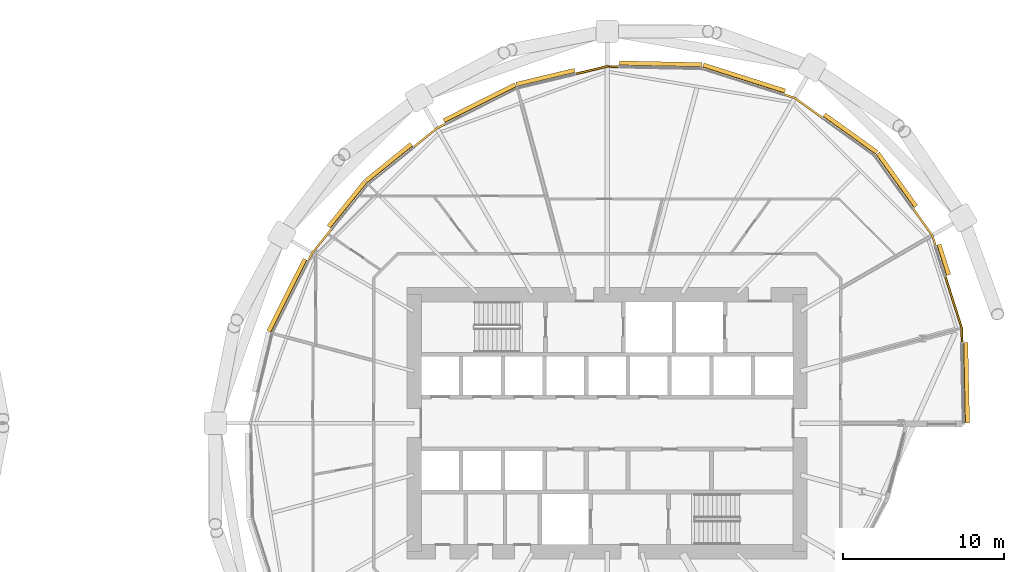
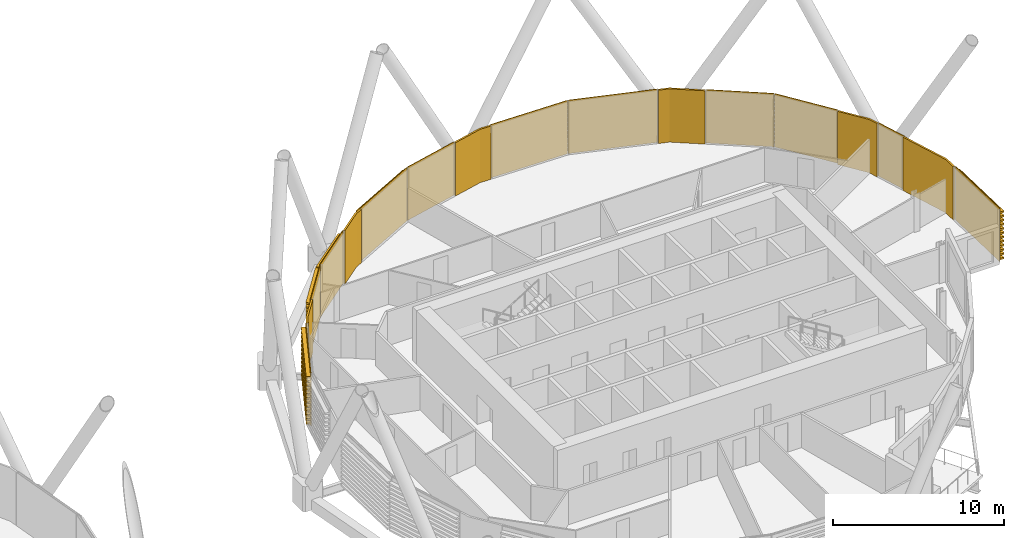
# One storey, part 35 of 36: 17 coverings.
"""IFC4 building model written with IfcOpenShell, lengths in metres."""

from ifc_helpers import new_model, si_unit, direction, frame, origin, place, context, subcontext, project, spatial, polyline, outline, extrude, material, layer, layer_set, material_profile, profile_set, type_object, element, save


model = new_model("IFC4")

# Units and contexts
model_context = context("Model", 3, precision=1e-05, world=origin(), true_north=direction((0.0, 1.0)))
body_context = subcontext(model_context, "Body", "Model", "MODEL_VIEW")
ifc_project = project(units=[si_unit("LENGTHUNIT", "METRE"), si_unit("AREAUNIT", "SQUARE_METRE"), si_unit("VOLUMEUNIT", "CUBIC_METRE"), si_unit("PLANEANGLEUNIT", "RADIAN"), si_unit("MASSUNIT", "GRAM", prefix="KILO")], contexts=[model_context])

# Site, building, storey
site_placement = place(None, origin())
site = spatial("IfcSite", under=ifc_project, at=site_placement, CompositionType="ELEMENT")
building_placement = place(site_placement, origin())
building = spatial("IfcBuilding", under=site, at=building_placement, Name="Rimbun Link Towers", CompositionType="ELEMENT")
storey_placement = place(building_placement, frame((0.0, 0.0, 64.199951171875)))
storey = spatial("IfcBuildingStorey", under=building, at=storey_placement, Name="L15", CompositionType="ELEMENT", Elevation=64.199951171875)

# Coverings
ifc_material_1 = material(Name="Terracotta", Category="masonry")
ifc_layer = layer(ifc_material_1, 0.1201171875)
ifc_layer_set = layer_set([ifc_layer], Name="LINK PIER terracotta cladding 120")
covering_type_1 = type_object("IfcCoveringType", Name="LINK PIER terracotta cladding 120", PredefinedType="CLADDING", material=ifc_layer_set)
covering_1_placement = place(storey_placement, origin())
element("IfcCovering", 1, at=covering_1_placement, inside=storey, type_object=covering_type_1, Name="LINK PIER cladding", PredefinedType="CLADDING", context=body_context, shape_type="SweptSolid", body=[
    extrude(outline(polyline([(42.759765625, 20.378662109375), (43.398193359375, 20.175537109375), (45.080078125, 18.96875), (45.150146484375, 19.066162109375), (43.452880859375, 20.2841796875), (42.796142578125, 20.492919921875), (42.759765625, 20.378662109375)])), origin(), (0.0, 0.0, 1.0), 3.800048828125),
])
covering_2_placement = place(storey_placement, origin())
element("IfcCovering", 2, at=covering_2_placement, inside=storey, type_object=covering_type_1, Name="LINK PIER cladding", PredefinedType="CLADDING", context=body_context, shape_type="SweptSolid", body=[
    extrude(outline(polyline([(29.833984375, 21.670654296875), (31.75, 22.12890625), (32.4697265625, 22.11376953125), (32.472412109375, 22.23388671875), (31.737060546875, 22.249267578125), (29.80615234375, 21.78759765625), (29.833984375, 21.670654296875)])), origin(), (0.0, 0.0, 1.0), 3.800048828125),
])
covering_3_placement = place(storey_placement, origin())
element("IfcCovering", 3, at=covering_3_placement, inside=storey, type_object=covering_type_1, Name="LINK PIER cladding", PredefinedType="CLADDING", context=body_context, shape_type="SweptSolid", body=[
    extrude(outline(polyline([(19.77490234375, 17.146240234375), (21.189453125, 18.291259765625), (21.698974609375, 18.547119140625), (21.64501953125, 18.654296875), (21.1240234375, 18.392822265625), (19.699462890625, 17.239501953125), (19.77490234375, 17.146240234375)])), origin(), (0.0, 0.0, 1.0), 3.800048828125),
])
covering_4_placement = place(storey_placement, origin())
element("IfcCovering", 4, at=covering_4_placement, inside=storey, type_object=covering_type_1, Name="LINK PIER cladding", PredefinedType="CLADDING", context=body_context, shape_type="SweptSolid", body=[
    extrude(outline(polyline([(13.225341796875, 10.095703125), (13.458740234375, 10.560546875), (14.63525390625, 12.013916015625), (14.5419921875, 12.089599609375), (13.357177734375, 10.6259765625), (13.1181640625, 10.149658203125), (13.225341796875, 10.095703125)])), origin(), (0.0, 0.0, 1.0), 3.800048828125),
])
covering_5_placement = place(storey_placement, origin())
element("IfcCovering", 5, at=covering_5_placement, inside=storey, type_object=covering_type_1, Name="LINK PIER cladding", PredefinedType="CLADDING", context=body_context, shape_type="SweptSolid", body=[
    extrude(outline(polyline([(52.7333984375, 9.107666015625), (53.7548828125, 5.896240234375), (53.773193359375, 5.0263671875), (53.89306640625, 5.02880859375), (53.87451171875, 5.916015625), (52.847900390625, 9.14404296875), (52.7333984375, 9.107666015625)])), origin(), (0.0, 0.0, 1.0), 3.800048828125),
])
covering_6_placement = place(storey_placement, origin())
element("IfcCovering", 6, at=covering_6_placement, inside=storey, type_object=covering_type_1, Name="LINK PIER cladding", PredefinedType="CLADDING", context=body_context, shape_type="SweptSolid", body=[
    extrude(outline(polyline([(50.747802734375, 13.28955078125), (51.925537109375, 11.648193359375), (52.11328125, 11.057373046875), (52.227783203125, 11.09375), (52.0341796875, 11.702880859375), (50.84521484375, 13.359375), (50.747802734375, 13.28955078125)])), origin(), (0.0, 0.0, 1.0), 3.800048828125),
])
ifc_material_2 = material(Name="Terracotta", Category="masonry")
ifc_material_profile = material_profile(ifc_material_2, outline(polyline([(0.123046875, 0.0), (0.1630859375, 0.0), (0.1630859375, 0.10009765625), (0.423095703125, 0.10009765625), (0.423095703125, 0.219970703125), (0.1630859375, 0.219970703125), (0.1630859375, 0.39990234375), (0.423095703125, 0.39990234375), (0.423095703125, 0.52001953125), (0.1630859375, 0.52001953125), (0.1630859375, 0.699951171875), (0.423095703125, 0.699951171875), (0.423095703125, 0.820068359375), (0.1630859375, 0.820068359375), (0.1630859375, 1.0), (0.423095703125, 1.0), (0.423095703125, 1.1201171875), (0.1630859375, 1.1201171875), (0.1630859375, 1.300048828125), (0.423095703125, 1.300048828125), (0.423095703125, 1.419921875), (0.1630859375, 1.419921875), (0.1630859375, 1.60009765625), (0.423095703125, 1.60009765625), (0.423095703125, 1.719970703125), (0.1630859375, 1.719970703125), (0.1630859375, 1.89990234375), (0.423095703125, 1.89990234375), (0.423095703125, 2.02001953125), (0.1630859375, 2.02001953125), (0.1630859375, 2.199951171875), (0.423095703125, 2.199951171875), (0.423095703125, 2.320068359375), (0.1630859375, 2.320068359375), (0.1630859375, 2.5), (0.423095703125, 2.5), (0.423095703125, 2.6201171875), (0.1630859375, 2.6201171875), (0.1630859375, 2.800048828125), (0.423095703125, 2.800048828125), (0.423095703125, 2.919921875), (0.1630859375, 2.919921875), (0.1630859375, 3.10009765625), (0.423095703125, 3.10009765625), (0.423095703125, 3.219970703125), (0.1630859375, 3.219970703125), (0.1630859375, 3.39990234375), (0.423095703125, 3.39990234375), (0.423095703125, 3.52001953125), (0.1630859375, 3.52001953125), (0.1630859375, 3.800048828125), (0.123046875, 3.800048828125), (0.123046875, 0.0)])), Name="BAGUETTE 120X300")
ifc_profile_set = profile_set([ifc_material_profile], Name="Terracotta")
covering_type_2 = type_object("IfcCoveringType", Name="TERRACOTTA BAGUETTE 120X300 H3800", PredefinedType="CLADDING", material=ifc_profile_set)
covering_7_placement = place(storey_placement, frame((45.1044921875, 18.951171875, 0.0), z_axis=(0.812481209702, -0.582987378835, 0.0), x_axis=(0.582987378835, 0.812481209702, 0.0)))
element("IfcCovering", 7, at=covering_7_placement, inside=storey, type_object=covering_type_2, Name="TERRACOTTA BAGUETTE", PredefinedType="CLADDING", context=body_context, shape_type="SweptSolid", body=[
    extrude(outline(polyline([(0.123046875, 0.0), (0.1630859375, 0.0), (0.1630859375, 0.10009765625), (0.423095703125, 0.10009765625), (0.423095703125, 0.219970703125), (0.1630859375, 0.219970703125), (0.1630859375, 0.39990234375), (0.423095703125, 0.39990234375), (0.423095703125, 0.52001953125), (0.1630859375, 0.52001953125), (0.1630859375, 0.699951171875), (0.423095703125, 0.699951171875), (0.423095703125, 0.820068359375), (0.1630859375, 0.820068359375), (0.1630859375, 1.0), (0.423095703125, 1.0), (0.423095703125, 1.1201171875), (0.1630859375, 1.1201171875), (0.1630859375, 1.300048828125), (0.423095703125, 1.300048828125), (0.423095703125, 1.419921875), (0.1630859375, 1.419921875), (0.1630859375, 1.60009765625), (0.423095703125, 1.60009765625), (0.423095703125, 1.719970703125), (0.1630859375, 1.719970703125), (0.1630859375, 1.89990234375), (0.423095703125, 1.89990234375), (0.423095703125, 2.02001953125), (0.1630859375, 2.02001953125), (0.1630859375, 2.199951171875), (0.423095703125, 2.199951171875), (0.423095703125, 2.320068359375), (0.1630859375, 2.320068359375), (0.1630859375, 2.5), (0.423095703125, 2.5), (0.423095703125, 2.6201171875), (0.1630859375, 2.6201171875), (0.1630859375, 2.800048828125), (0.423095703125, 2.800048828125), (0.423095703125, 2.919921875), (0.1630859375, 2.919921875), (0.1630859375, 3.10009765625), (0.423095703125, 3.10009765625), (0.423095703125, 3.219970703125), (0.1630859375, 3.219970703125), (0.1630859375, 3.39990234375), (0.423095703125, 3.39990234375), (0.423095703125, 3.52001953125), (0.1630859375, 3.52001953125), (0.1630859375, 3.800048828125), (0.123046875, 3.800048828125), (0.123046875, 0.0)])), origin(), (0.0, 0.0, 1.0), 4.010498046875),
])
covering_8_placement = place(storey_placement, frame((37.646240234375, 22.0048828125, 0.0), z_axis=(0.952966632443, -0.303075233978, 0.0), x_axis=(0.303075233978, 0.952966632443, 0.0)))
element("IfcCovering", 8, at=covering_8_placement, inside=storey, type_object=covering_type_2, Name="TERRACOTTA BAGUETTE", PredefinedType="CLADDING", context=body_context, shape_type="SweptSolid", body=[
    extrude(outline(polyline([(0.123046875, 0.0), (0.1630859375, 0.0), (0.1630859375, 0.10009765625), (0.423095703125, 0.10009765625), (0.423095703125, 0.219970703125), (0.1630859375, 0.219970703125), (0.1630859375, 0.39990234375), (0.423095703125, 0.39990234375), (0.423095703125, 0.52001953125), (0.1630859375, 0.52001953125), (0.1630859375, 0.699951171875), (0.423095703125, 0.699951171875), (0.423095703125, 0.820068359375), (0.1630859375, 0.820068359375), (0.1630859375, 1.0), (0.423095703125, 1.0), (0.423095703125, 1.1201171875), (0.1630859375, 1.1201171875), (0.1630859375, 1.300048828125), (0.423095703125, 1.300048828125), (0.423095703125, 1.419921875), (0.1630859375, 1.419921875), (0.1630859375, 1.60009765625), (0.423095703125, 1.60009765625), (0.423095703125, 1.719970703125), (0.1630859375, 1.719970703125), (0.1630859375, 1.89990234375), (0.423095703125, 1.89990234375), (0.423095703125, 2.02001953125), (0.1630859375, 2.02001953125), (0.1630859375, 2.199951171875), (0.423095703125, 2.199951171875), (0.423095703125, 2.320068359375), (0.1630859375, 2.320068359375), (0.1630859375, 2.5), (0.423095703125, 2.5), (0.423095703125, 2.6201171875), (0.1630859375, 2.6201171875), (0.1630859375, 2.800048828125), (0.423095703125, 2.800048828125), (0.423095703125, 2.919921875), (0.1630859375, 2.919921875), (0.1630859375, 3.10009765625), (0.423095703125, 3.10009765625), (0.423095703125, 3.219970703125), (0.1630859375, 3.219970703125), (0.1630859375, 3.39990234375), (0.423095703125, 3.39990234375), (0.423095703125, 3.52001953125), (0.1630859375, 3.52001953125), (0.1630859375, 3.800048828125), (0.123046875, 3.800048828125), (0.123046875, 0.0)])), origin(), (0.0, 0.0, 1.0), 5.3359375),
])
covering_9_placement = place(storey_placement, frame((32.499755859375, 22.11328125, 0.0), z_axis=(0.999778256826, -0.021057948104, 0.0), x_axis=(0.021057948104, 0.999778256826, 0.0)))
element("IfcCovering", 9, at=covering_9_placement, inside=storey, type_object=covering_type_2, Name="TERRACOTTA BAGUETTE", PredefinedType="CLADDING", context=body_context, shape_type="SweptSolid", body=[
    extrude(outline(polyline([(0.123046875, 0.0), (0.1630859375, 0.0), (0.1630859375, 0.10009765625), (0.423095703125, 0.10009765625), (0.423095703125, 0.219970703125), (0.1630859375, 0.219970703125), (0.1630859375, 0.39990234375), (0.423095703125, 0.39990234375), (0.423095703125, 0.52001953125), (0.1630859375, 0.52001953125), (0.1630859375, 0.699951171875), (0.423095703125, 0.699951171875), (0.423095703125, 0.820068359375), (0.1630859375, 0.820068359375), (0.1630859375, 1.0), (0.423095703125, 1.0), (0.423095703125, 1.1201171875), (0.1630859375, 1.1201171875), (0.1630859375, 1.300048828125), (0.423095703125, 1.300048828125), (0.423095703125, 1.419921875), (0.1630859375, 1.419921875), (0.1630859375, 1.60009765625), (0.423095703125, 1.60009765625), (0.423095703125, 1.719970703125), (0.1630859375, 1.719970703125), (0.1630859375, 1.89990234375), (0.423095703125, 1.89990234375), (0.423095703125, 2.02001953125), (0.1630859375, 2.02001953125), (0.1630859375, 2.199951171875), (0.423095703125, 2.199951171875), (0.423095703125, 2.320068359375), (0.1630859375, 2.320068359375), (0.1630859375, 2.5), (0.423095703125, 2.5), (0.423095703125, 2.6201171875), (0.1630859375, 2.6201171875), (0.1630859375, 2.800048828125), (0.423095703125, 2.800048828125), (0.423095703125, 2.919921875), (0.1630859375, 2.919921875), (0.1630859375, 3.10009765625), (0.423095703125, 3.10009765625), (0.423095703125, 3.219970703125), (0.1630859375, 3.219970703125), (0.1630859375, 3.39990234375), (0.423095703125, 3.39990234375), (0.423095703125, 3.52001953125), (0.1630859375, 3.52001953125), (0.1630859375, 3.800048828125), (0.123046875, 3.800048828125), (0.123046875, 0.0)])), origin(), (0.0, 0.0, 1.0), 5.147705078125),
])
covering_10_placement = place(storey_placement, frame((26.177490234375, 20.79638671875, 0.0), z_axis=(0.972578891654, 0.232573213222, 0.0), x_axis=(-0.232573213222, 0.972578891654, 0.0)))
element("IfcCovering", 10, at=covering_10_placement, inside=storey, type_object=covering_type_2, Name="TERRACOTTA BAGUETTE", PredefinedType="CLADDING", context=body_context, shape_type="SweptSolid", body=[
    extrude(outline(polyline([(0.123046875, 0.0), (0.1630859375, 0.0), (0.1630859375, 0.10009765625), (0.423095703125, 0.10009765625), (0.423095703125, 0.219970703125), (0.1630859375, 0.219970703125), (0.1630859375, 0.39990234375), (0.423095703125, 0.39990234375), (0.423095703125, 0.52001953125), (0.1630859375, 0.52001953125), (0.1630859375, 0.699951171875), (0.423095703125, 0.699951171875), (0.423095703125, 0.820068359375), (0.1630859375, 0.820068359375), (0.1630859375, 1.0), (0.423095703125, 1.0), (0.423095703125, 1.1201171875), (0.1630859375, 1.1201171875), (0.1630859375, 1.300048828125), (0.423095703125, 1.300048828125), (0.423095703125, 1.419921875), (0.1630859375, 1.419921875), (0.1630859375, 1.60009765625), (0.423095703125, 1.60009765625), (0.423095703125, 1.719970703125), (0.1630859375, 1.719970703125), (0.1630859375, 1.89990234375), (0.423095703125, 1.89990234375), (0.423095703125, 2.02001953125), (0.1630859375, 2.02001953125), (0.1630859375, 2.199951171875), (0.423095703125, 2.199951171875), (0.423095703125, 2.320068359375), (0.1630859375, 2.320068359375), (0.1630859375, 2.5), (0.423095703125, 2.5), (0.423095703125, 2.6201171875), (0.1630859375, 2.6201171875), (0.1630859375, 2.800048828125), (0.423095703125, 2.800048828125), (0.423095703125, 2.919921875), (0.1630859375, 2.919921875), (0.1630859375, 3.10009765625), (0.423095703125, 3.10009765625), (0.423095703125, 3.219970703125), (0.1630859375, 3.219970703125), (0.1630859375, 3.39990234375), (0.423095703125, 3.39990234375), (0.423095703125, 3.52001953125), (0.1630859375, 3.52001953125), (0.1630859375, 3.800048828125), (0.123046875, 3.800048828125), (0.123046875, 0.0)])), origin(), (0.0, 0.0, 1.0), 3.729736328125),
])
covering_11_placement = place(storey_placement, frame((21.7255859375, 18.560546875, 0.0), z_axis=(0.893631877808, 0.44880069849, 0.0), x_axis=(-0.44880069849, 0.893631877808, 0.0)))
element("IfcCovering", 11, at=covering_11_placement, inside=storey, type_object=covering_type_2, Name="TERRACOTTA BAGUETTE", PredefinedType="CLADDING", context=body_context, shape_type="SweptSolid", body=[
    extrude(outline(polyline([(0.123046875, 0.0), (0.1630859375, 0.0), (0.1630859375, 0.10009765625), (0.423095703125, 0.10009765625), (0.423095703125, 0.219970703125), (0.1630859375, 0.219970703125), (0.1630859375, 0.39990234375), (0.423095703125, 0.39990234375), (0.423095703125, 0.52001953125), (0.1630859375, 0.52001953125), (0.1630859375, 0.699951171875), (0.423095703125, 0.699951171875), (0.423095703125, 0.820068359375), (0.1630859375, 0.820068359375), (0.1630859375, 1.0), (0.423095703125, 1.0), (0.423095703125, 1.1201171875), (0.1630859375, 1.1201171875), (0.1630859375, 1.300048828125), (0.423095703125, 1.300048828125), (0.423095703125, 1.419921875), (0.1630859375, 1.419921875), (0.1630859375, 1.60009765625), (0.423095703125, 1.60009765625), (0.423095703125, 1.719970703125), (0.1630859375, 1.719970703125), (0.1630859375, 1.89990234375), (0.423095703125, 1.89990234375), (0.423095703125, 2.02001953125), (0.1630859375, 2.02001953125), (0.1630859375, 2.199951171875), (0.423095703125, 2.199951171875), (0.423095703125, 2.320068359375), (0.1630859375, 2.320068359375), (0.1630859375, 2.5), (0.423095703125, 2.5), (0.423095703125, 2.6201171875), (0.1630859375, 2.6201171875), (0.1630859375, 2.800048828125), (0.423095703125, 2.800048828125), (0.423095703125, 2.919921875), (0.1630859375, 2.919921875), (0.1630859375, 3.10009765625), (0.423095703125, 3.10009765625), (0.423095703125, 3.219970703125), (0.1630859375, 3.219970703125), (0.1630859375, 3.39990234375), (0.423095703125, 3.39990234375), (0.423095703125, 3.52001953125), (0.1630859375, 3.52001953125), (0.1630859375, 3.800048828125), (0.123046875, 3.800048828125), (0.123046875, 0.0)])), origin(), (0.0, 0.0, 1.0), 4.981689453125),
])
covering_12_placement = place(storey_placement, frame((16.9169921875, 14.8330078125, 0.0), z_axis=(0.777263579055, 0.629175117654, 0.0), x_axis=(-0.629175117654, 0.777263579055, 0.0)))
element("IfcCovering", 12, at=covering_12_placement, inside=storey, type_object=covering_type_2, Name="TERRACOTTA BAGUETTE", PredefinedType="CLADDING", context=body_context, shape_type="SweptSolid", body=[
    extrude(outline(polyline([(0.123046875, 0.0), (0.1630859375, 0.0), (0.1630859375, 0.10009765625), (0.423095703125, 0.10009765625), (0.423095703125, 0.219970703125), (0.1630859375, 0.219970703125), (0.1630859375, 0.39990234375), (0.423095703125, 0.39990234375), (0.423095703125, 0.52001953125), (0.1630859375, 0.52001953125), (0.1630859375, 0.699951171875), (0.423095703125, 0.699951171875), (0.423095703125, 0.820068359375), (0.1630859375, 0.820068359375), (0.1630859375, 1.0), (0.423095703125, 1.0), (0.423095703125, 1.1201171875), (0.1630859375, 1.1201171875), (0.1630859375, 1.300048828125), (0.423095703125, 1.300048828125), (0.423095703125, 1.419921875), (0.1630859375, 1.419921875), (0.1630859375, 1.60009765625), (0.423095703125, 1.60009765625), (0.423095703125, 1.719970703125), (0.1630859375, 1.719970703125), (0.1630859375, 1.89990234375), (0.423095703125, 1.89990234375), (0.423095703125, 2.02001953125), (0.1630859375, 2.02001953125), (0.1630859375, 2.199951171875), (0.423095703125, 2.199951171875), (0.423095703125, 2.320068359375), (0.1630859375, 2.320068359375), (0.1630859375, 2.5), (0.423095703125, 2.5), (0.423095703125, 2.6201171875), (0.1630859375, 2.6201171875), (0.1630859375, 2.800048828125), (0.423095703125, 2.800048828125), (0.423095703125, 2.919921875), (0.1630859375, 2.919921875), (0.1630859375, 3.10009765625), (0.423095703125, 3.10009765625), (0.423095703125, 3.219970703125), (0.1630859375, 3.219970703125), (0.1630859375, 3.39990234375), (0.423095703125, 3.39990234375), (0.423095703125, 3.52001953125), (0.1630859375, 3.52001953125), (0.1630859375, 3.800048828125), (0.123046875, 3.800048828125), (0.123046875, 0.0)])), origin(), (0.0, 0.0, 1.0), 3.646728515625),
])
covering_13_placement = place(storey_placement, frame((14.654052734375, 12.037353515625, 0.0), z_axis=(0.629163080132, 0.777273322968, 0.0), x_axis=(-0.777273322968, 0.629163080132, 0.0)))
element("IfcCovering", 13, at=covering_13_placement, inside=storey, type_object=covering_type_2, Name="TERRACOTTA BAGUETTE", PredefinedType="CLADDING", context=body_context, shape_type="SweptSolid", body=[
    extrude(outline(polyline([(0.123046875, 0.0), (0.1630859375, 0.0), (0.1630859375, 0.10009765625), (0.423095703125, 0.10009765625), (0.423095703125, 0.219970703125), (0.1630859375, 0.219970703125), (0.1630859375, 0.39990234375), (0.423095703125, 0.39990234375), (0.423095703125, 0.52001953125), (0.1630859375, 0.52001953125), (0.1630859375, 0.699951171875), (0.423095703125, 0.699951171875), (0.423095703125, 0.820068359375), (0.1630859375, 0.820068359375), (0.1630859375, 1.0), (0.423095703125, 1.0), (0.423095703125, 1.1201171875), (0.1630859375, 1.1201171875), (0.1630859375, 1.300048828125), (0.423095703125, 1.300048828125), (0.423095703125, 1.419921875), (0.1630859375, 1.419921875), (0.1630859375, 1.60009765625), (0.423095703125, 1.60009765625), (0.423095703125, 1.719970703125), (0.1630859375, 1.719970703125), (0.1630859375, 1.89990234375), (0.423095703125, 1.89990234375), (0.423095703125, 2.02001953125), (0.1630859375, 2.02001953125), (0.1630859375, 2.199951171875), (0.423095703125, 2.199951171875), (0.423095703125, 2.320068359375), (0.1630859375, 2.320068359375), (0.1630859375, 2.5), (0.423095703125, 2.5), (0.423095703125, 2.6201171875), (0.1630859375, 2.6201171875), (0.1630859375, 2.800048828125), (0.423095703125, 2.800048828125), (0.423095703125, 2.919921875), (0.1630859375, 2.919921875), (0.1630859375, 3.10009765625), (0.423095703125, 3.10009765625), (0.423095703125, 3.219970703125), (0.1630859375, 3.219970703125), (0.1630859375, 3.39990234375), (0.423095703125, 3.39990234375), (0.423095703125, 3.52001953125), (0.1630859375, 3.52001953125), (0.1630859375, 3.800048828125), (0.123046875, 3.800048828125), (0.123046875, 0.0)])), origin(), (0.0, 0.0, 1.0), 3.5966796875),
])
covering_14_placement = place(storey_placement, frame((10.95361328125, 5.572509765625, 0.0), z_axis=(0.448804323468, 0.893630057259, 0.0), x_axis=(-0.893630057259, 0.448804323468, 0.0)))
element("IfcCovering", 14, at=covering_14_placement, inside=storey, type_object=covering_type_2, Name="TERRACOTTA BAGUETTE", PredefinedType="CLADDING", context=body_context, shape_type="SweptSolid", body=[
    extrude(outline(polyline([(0.123046875, 0.0), (0.1630859375, 0.0), (0.1630859375, 0.10009765625), (0.423095703125, 0.10009765625), (0.423095703125, 0.219970703125), (0.1630859375, 0.219970703125), (0.1630859375, 0.39990234375), (0.423095703125, 0.39990234375), (0.423095703125, 0.52001953125), (0.1630859375, 0.52001953125), (0.1630859375, 0.699951171875), (0.423095703125, 0.699951171875), (0.423095703125, 0.820068359375), (0.1630859375, 0.820068359375), (0.1630859375, 1.0), (0.423095703125, 1.0), (0.423095703125, 1.1201171875), (0.1630859375, 1.1201171875), (0.1630859375, 1.300048828125), (0.423095703125, 1.300048828125), (0.423095703125, 1.419921875), (0.1630859375, 1.419921875), (0.1630859375, 1.60009765625), (0.423095703125, 1.60009765625), (0.423095703125, 1.719970703125), (0.1630859375, 1.719970703125), (0.1630859375, 1.89990234375), (0.423095703125, 1.89990234375), (0.423095703125, 2.02001953125), (0.1630859375, 2.02001953125), (0.1630859375, 2.199951171875), (0.423095703125, 2.199951171875), (0.423095703125, 2.320068359375), (0.1630859375, 2.320068359375), (0.1630859375, 2.5), (0.423095703125, 2.5), (0.423095703125, 2.6201171875), (0.1630859375, 2.6201171875), (0.1630859375, 2.800048828125), (0.423095703125, 2.800048828125), (0.423095703125, 2.919921875), (0.1630859375, 2.919921875), (0.1630859375, 3.10009765625), (0.423095703125, 3.10009765625), (0.423095703125, 3.219970703125), (0.1630859375, 3.219970703125), (0.1630859375, 3.39990234375), (0.423095703125, 3.39990234375), (0.423095703125, 3.52001953125), (0.1630859375, 3.52001953125), (0.1630859375, 3.800048828125), (0.123046875, 3.800048828125), (0.123046875, 0.0)])), origin(), (0.0, 0.0, 1.0), 5.03173828125),
])
covering_15_placement = place(storey_placement, frame((53.773681640625, 4.996337890625, 0.0), z_axis=(0.021055677953, -0.999778304639, 0.0), x_axis=(0.999778304639, 0.021055677953, 0.0)))
element("IfcCovering", 15, at=covering_15_placement, inside=storey, type_object=covering_type_2, Name="TERRACOTTA BAGUETTE", PredefinedType="CLADDING", context=body_context, shape_type="SweptSolid", body=[
    extrude(outline(polyline([(0.123046875, 0.0), (0.1630859375, 0.0), (0.1630859375, 0.10009765625), (0.423095703125, 0.10009765625), (0.423095703125, 0.219970703125), (0.1630859375, 0.219970703125), (0.1630859375, 0.39990234375), (0.423095703125, 0.39990234375), (0.423095703125, 0.52001953125), (0.1630859375, 0.52001953125), (0.1630859375, 0.699951171875), (0.423095703125, 0.699951171875), (0.423095703125, 0.820068359375), (0.1630859375, 0.820068359375), (0.1630859375, 1.0), (0.423095703125, 1.0), (0.423095703125, 1.1201171875), (0.1630859375, 1.1201171875), (0.1630859375, 1.300048828125), (0.423095703125, 1.300048828125), (0.423095703125, 1.419921875), (0.1630859375, 1.419921875), (0.1630859375, 1.60009765625), (0.423095703125, 1.60009765625), (0.423095703125, 1.719970703125), (0.1630859375, 1.719970703125), (0.1630859375, 1.89990234375), (0.423095703125, 1.89990234375), (0.423095703125, 2.02001953125), (0.1630859375, 2.02001953125), (0.1630859375, 2.199951171875), (0.423095703125, 2.199951171875), (0.423095703125, 2.320068359375), (0.1630859375, 2.320068359375), (0.1630859375, 2.5), (0.423095703125, 2.5), (0.423095703125, 2.6201171875), (0.1630859375, 2.6201171875), (0.1630859375, 2.800048828125), (0.423095703125, 2.800048828125), (0.423095703125, 2.919921875), (0.1630859375, 2.919921875), (0.1630859375, 3.10009765625), (0.423095703125, 3.10009765625), (0.423095703125, 3.219970703125), (0.1630859375, 3.219970703125), (0.1630859375, 3.39990234375), (0.423095703125, 3.39990234375), (0.423095703125, 3.52001953125), (0.1630859375, 3.52001953125), (0.1630859375, 3.800048828125), (0.123046875, 3.800048828125), (0.123046875, 0.0)])), origin(), (0.0, 0.0, 1.0), 4.99755859375),
])
covering_16_placement = place(storey_placement, frame((52.12255859375, 11.02880859375, 0.0), z_axis=(0.303031130218, -0.952980657788, 0.0), x_axis=(0.952980657788, 0.303031130218, 0.0)))
element("IfcCovering", 16, at=covering_16_placement, inside=storey, type_object=covering_type_2, Name="TERRACOTTA BAGUETTE", PredefinedType="CLADDING", context=body_context, shape_type="SweptSolid", body=[
    extrude(outline(polyline([(0.123046875, 0.0), (0.1630859375, 0.0), (0.1630859375, 0.10009765625), (0.423095703125, 0.10009765625), (0.423095703125, 0.219970703125), (0.1630859375, 0.219970703125), (0.1630859375, 0.39990234375), (0.423095703125, 0.39990234375), (0.423095703125, 0.52001953125), (0.1630859375, 0.52001953125), (0.1630859375, 0.699951171875), (0.423095703125, 0.699951171875), (0.423095703125, 0.820068359375), (0.1630859375, 0.820068359375), (0.1630859375, 1.0), (0.423095703125, 1.0), (0.423095703125, 1.1201171875), (0.1630859375, 1.1201171875), (0.1630859375, 1.300048828125), (0.423095703125, 1.300048828125), (0.423095703125, 1.419921875), (0.1630859375, 1.419921875), (0.1630859375, 1.60009765625), (0.423095703125, 1.60009765625), (0.423095703125, 1.719970703125), (0.1630859375, 1.719970703125), (0.1630859375, 1.89990234375), (0.423095703125, 1.89990234375), (0.423095703125, 2.02001953125), (0.1630859375, 2.02001953125), (0.1630859375, 2.199951171875), (0.423095703125, 2.199951171875), (0.423095703125, 2.320068359375), (0.1630859375, 2.320068359375), (0.1630859375, 2.5), (0.423095703125, 2.5), (0.423095703125, 2.6201171875), (0.1630859375, 2.6201171875), (0.1630859375, 2.800048828125), (0.423095703125, 2.800048828125), (0.423095703125, 2.919921875), (0.1630859375, 2.919921875), (0.1630859375, 3.10009765625), (0.423095703125, 3.10009765625), (0.423095703125, 3.219970703125), (0.1630859375, 3.219970703125), (0.1630859375, 3.39990234375), (0.423095703125, 3.39990234375), (0.423095703125, 3.52001953125), (0.1630859375, 3.52001953125), (0.1630859375, 3.800048828125), (0.123046875, 3.800048828125), (0.123046875, 0.0)])), origin(), (0.0, 0.0, 1.0), 1.98583984375),
])
covering_17_placement = place(storey_placement, frame((48.363037109375, 16.613037109375, 0.0), z_axis=(0.583022639923, -0.812455907319, 0.0), x_axis=(0.812455907319, 0.583022639923, 0.0)))
element("IfcCovering", 17, at=covering_17_placement, inside=storey, type_object=covering_type_2, Name="TERRACOTTA BAGUETTE", PredefinedType="CLADDING", context=body_context, shape_type="SweptSolid", body=[
    extrude(outline(polyline([(0.123046875, 0.0), (0.1630859375, 0.0), (0.1630859375, 0.10009765625), (0.423095703125, 0.10009765625), (0.423095703125, 0.219970703125), (0.1630859375, 0.219970703125), (0.1630859375, 0.39990234375), (0.423095703125, 0.39990234375), (0.423095703125, 0.52001953125), (0.1630859375, 0.52001953125), (0.1630859375, 0.699951171875), (0.423095703125, 0.699951171875), (0.423095703125, 0.820068359375), (0.1630859375, 0.820068359375), (0.1630859375, 1.0), (0.423095703125, 1.0), (0.423095703125, 1.1201171875), (0.1630859375, 1.1201171875), (0.1630859375, 1.300048828125), (0.423095703125, 1.300048828125), (0.423095703125, 1.419921875), (0.1630859375, 1.419921875), (0.1630859375, 1.60009765625), (0.423095703125, 1.60009765625), (0.423095703125, 1.719970703125), (0.1630859375, 1.719970703125), (0.1630859375, 1.89990234375), (0.423095703125, 1.89990234375), (0.423095703125, 2.02001953125), (0.1630859375, 2.02001953125), (0.1630859375, 2.199951171875), (0.423095703125, 2.199951171875), (0.423095703125, 2.320068359375), (0.1630859375, 2.320068359375), (0.1630859375, 2.5), (0.423095703125, 2.5), (0.423095703125, 2.6201171875), (0.1630859375, 2.6201171875), (0.1630859375, 2.800048828125), (0.423095703125, 2.800048828125), (0.423095703125, 2.919921875), (0.1630859375, 2.919921875), (0.1630859375, 3.10009765625), (0.423095703125, 3.10009765625), (0.423095703125, 3.219970703125), (0.1630859375, 3.219970703125), (0.1630859375, 3.39990234375), (0.423095703125, 3.39990234375), (0.423095703125, 3.52001953125), (0.1630859375, 3.52001953125), (0.1630859375, 3.800048828125), (0.123046875, 3.800048828125), (0.123046875, 0.0)])), origin(), (0.0, 0.0, 1.0), 4.060546875),
])

save(model, "model.ifc")
